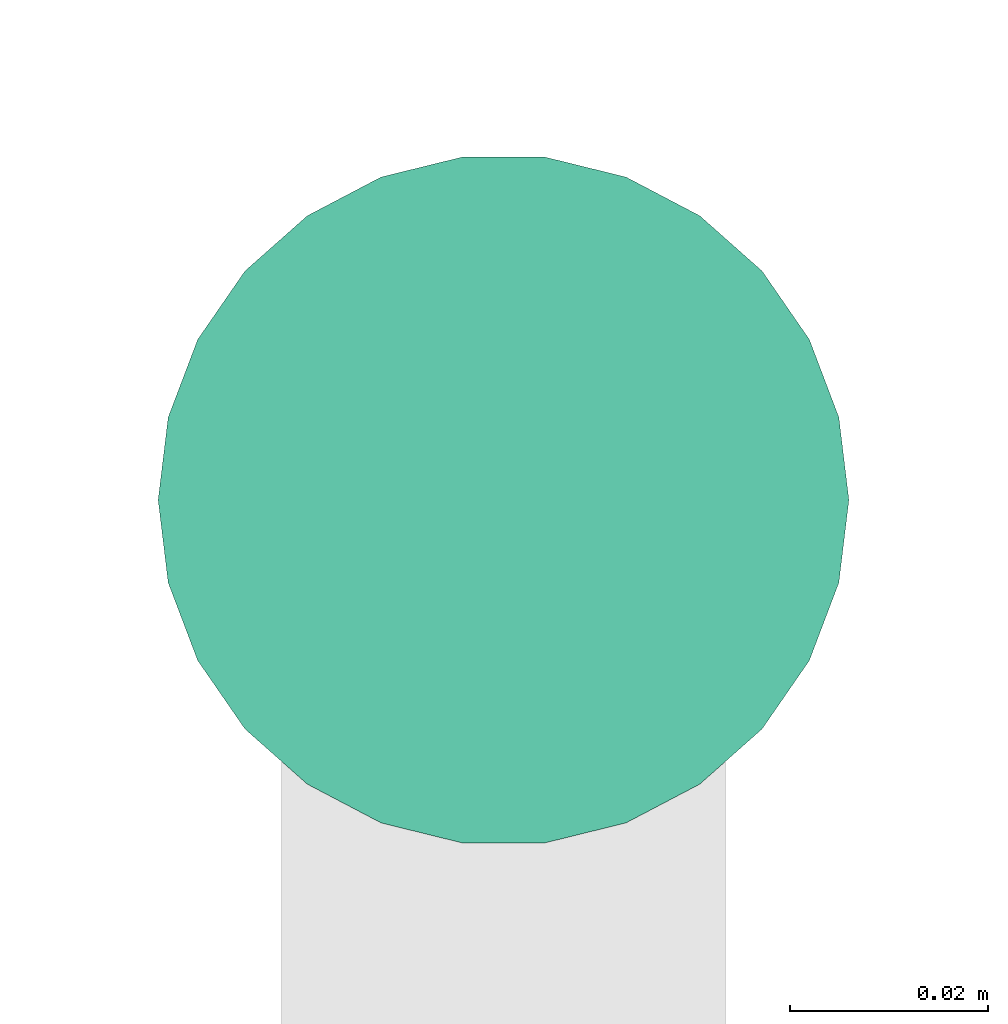
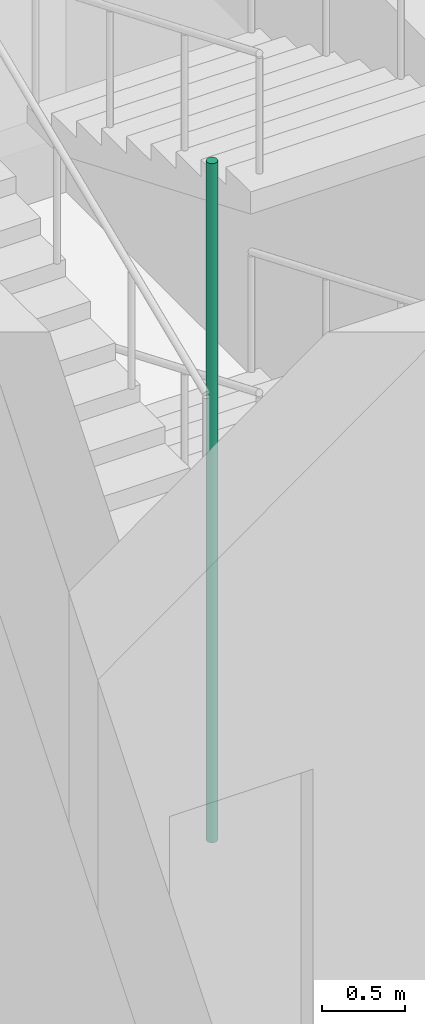
# One storey, part 22 of 31: 1 pipe segment.
"""IFC4 building model written with IfcOpenShell, lengths in metres."""

from ifc_helpers import new_model, si_unit, direction, frame, origin, origin_2d, place, context, subcontext, project, spatial, circle, extrude, element, save


model = new_model("IFC4")

# Units and contexts
model_context = context("Model", 3, precision=1e-05, world=origin(), true_north=direction((0.0, 1.0)))
body_context = subcontext(model_context, "Body", "Model", "MODEL_VIEW")
ifc_project = project(units=[si_unit("LENGTHUNIT", "METRE"), si_unit("AREAUNIT", "SQUARE_METRE"), si_unit("VOLUMEUNIT", "CUBIC_METRE"), si_unit("PLANEANGLEUNIT", "RADIAN"), si_unit("MASSUNIT", "GRAM", prefix="KILO")], contexts=[model_context])

# Site, building, storey
site_placement = place(None, origin())
site = spatial("IfcSite", under=ifc_project, at=site_placement, CompositionType="ELEMENT")
building_placement = place(site_placement, origin())
building = spatial("IfcBuilding", under=site, at=building_placement, Name="Nzadi Deep Aquarium and Research Tower", CompositionType="ELEMENT")
storey_placement = place(building_placement, frame((0.0, 0.0, 21.699951171875)))
storey = spatial("IfcBuildingStorey", under=building, at=storey_placement, Name="L03", CompositionType="ELEMENT", Elevation=21.699951171875)

# Pipe segment
pipe_segment_placement = place(storey_placement, frame((2.300048828125, 68.9599609375, 0.0), z_axis=(0.0, 0.0, 1.0), x_axis=(1.0, 0.0, 0.0)))
element("IfcPipeSegment", 1, at=pipe_segment_placement, inside=storey, Name="Dry riser ST-Z2-W L03", PredefinedType="RIGIDSEGMENT", context=body_context, shape_type="SweptSolid", body=[
    extrude(circle(Radius=0.034912109375, at=origin_2d()), origin(), (0.0, 0.0, 1.0), 5.0),
])

save(model, "model.ifc")
